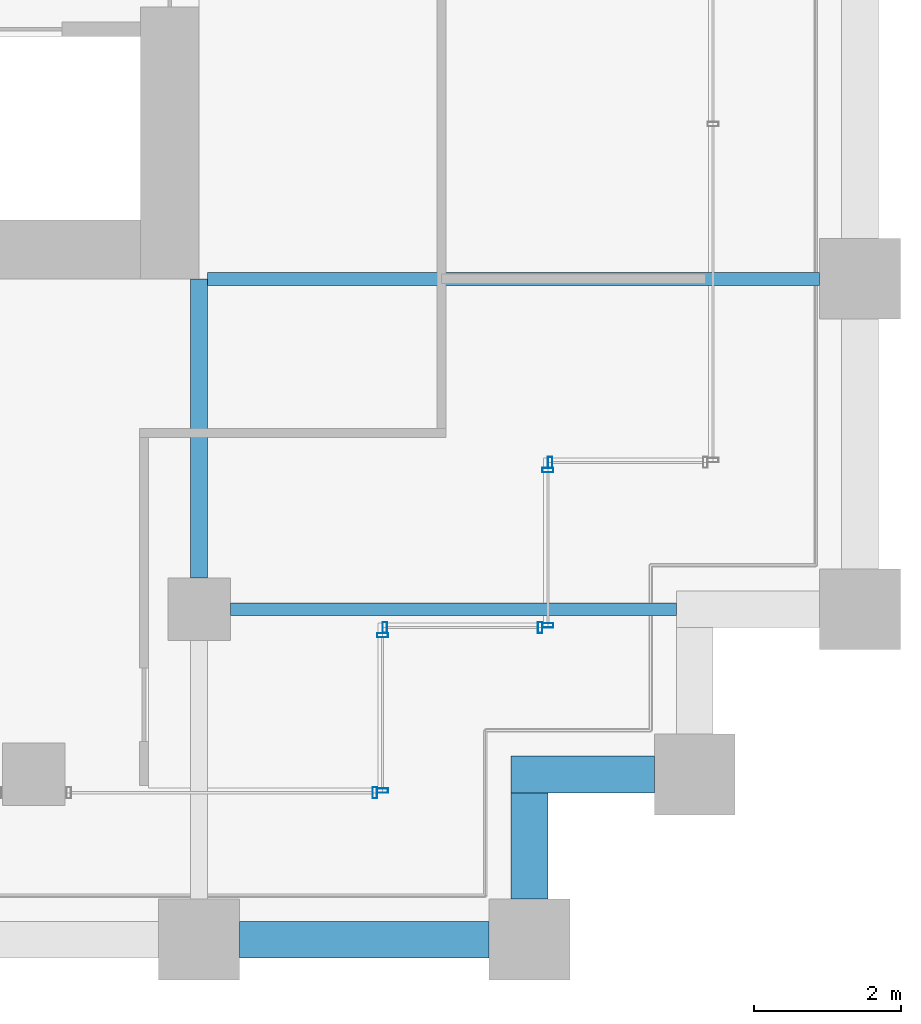
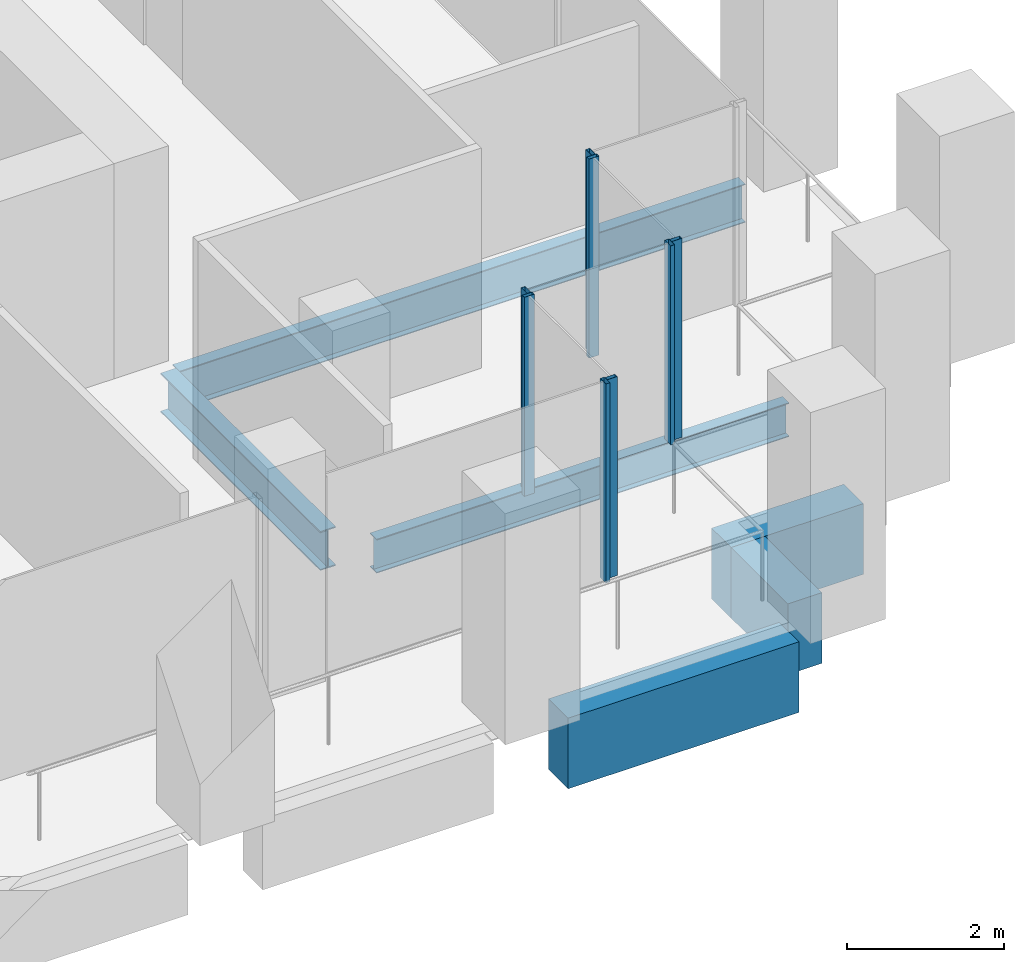
# One storey, part 38 of 56: 8 members, 6 beams, 5 elements without a shape of their own.
"""IFC4 building model written with IfcOpenShell, lengths in metres."""

from ifc_helpers import new_model, si_unit, direction, frame, origin, origin_2d, place, context, subcontext, project, spatial, rectangle, hollow_rectangle, i_section, extrude, material, material_profile, profile_set, type_object, element, aggregate, save


model = new_model("IFC4")

# Units and contexts
model_context = context("Model", 3, precision=1e-05, world=origin(), true_north=direction((0.0, 1.0)))
body_context = subcontext(model_context, "Body", "Model", "MODEL_VIEW")
ifc_project = project(units=[si_unit("LENGTHUNIT", "METRE"), si_unit("AREAUNIT", "SQUARE_METRE"), si_unit("VOLUMEUNIT", "CUBIC_METRE"), si_unit("PLANEANGLEUNIT", "RADIAN"), si_unit("MASSUNIT", "GRAM", prefix="KILO")], contexts=[model_context])

# Site, building, storey
site_placement = place(None, origin())
site = spatial("IfcSite", under=ifc_project, at=site_placement, CompositionType="ELEMENT")
building_placement = place(site_placement, origin())
building = spatial("IfcBuilding", under=site, at=building_placement, Name="Altepetl Exchange Towers", CompositionType="ELEMENT")
storey_placement = place(building_placement, frame((0.0, 0.0, 54.60009765625)))
storey = spatial("IfcBuildingStorey", under=building, at=storey_placement, Name="L12", CompositionType="ELEMENT", Elevation=54.60009765625)

# Beams
ifc_material_1 = material(Name="Steel S355", Category="steel")
ifc_material_profile_1 = material_profile(ifc_material_1, i_section(OverallWidth=0.166015625, OverallDepth=0.529052734375, WebThickness=0.009765625, FlangeThickness=0.013671875, at=origin_2d()), Name="W21X50")
ifc_profile_set_1 = profile_set([ifc_material_profile_1], Name="Steel S355")
beam_type_1 = type_object("IfcBeamType", Name="Floor beam W21X50", PredefinedType="BEAM", material=ifc_profile_set_1)
beam_1_placement = place(storey_placement, frame((117.425048828125, 31.5, -0.41455078125), z_axis=(1.0, 0.0, 0.0), x_axis=(0.0, 1.0, 0.0)))
element("IfcBeam", 1, at=beam_1_placement, inside=storey, type_object=beam_type_1, Name="bm:B:L12:004", PredefinedType="BEAM", context=body_context, shape_type="SweptSolid", body=[
    extrude(i_section(OverallWidth=0.166015625, OverallDepth=0.529052734375, WebThickness=0.009765625, FlangeThickness=0.013671875, at=origin_2d()), origin(), (0.0, 0.0, 1.0), 6.074951171875),
])
ifc_material_profile_2 = material_profile(ifc_material_1, i_section(OverallWidth=0.177978515625, OverallDepth=0.59912109375, WebThickness=0.010009765625, FlangeThickness=0.0126953125, at=origin_2d()), Name="W24X55")
ifc_profile_set_2 = profile_set([ifc_material_profile_2], Name="Steel S355")
beam_type_2 = type_object("IfcBeamType", Name="Floor beam W24X55", PredefinedType="BEAM", material=ifc_profile_set_2)
beam_2_placement = place(storey_placement, frame((117.114013671875, 36.0, -0.44970703125), z_axis=(1.0, 0.0, 0.0), x_axis=(0.0, 1.0, 0.0)))
element("IfcBeam", 2, at=beam_2_placement, inside=storey, type_object=beam_type_2, Name="bm:B:L12:005", PredefinedType="BEAM", context=body_context, shape_type="SweptSolid", body=[
    extrude(i_section(OverallWidth=0.177978515625, OverallDepth=0.59912109375, WebThickness=0.010009765625, FlangeThickness=0.0126953125, at=origin_2d()), origin(), (0.0, 0.0, 1.0), 8.3359375),
])
ifc_material_profile_3 = material_profile(ifc_material_1, i_section(OverallWidth=0.22802734375, OverallDepth=0.60791015625, WebThickness=0.01123046875, FlangeThickness=0.017333984375, at=origin_2d()), Name="W24X76")
ifc_profile_set_3 = profile_set([ifc_material_profile_3], Name="Steel S355")
beam_type_3 = type_object("IfcBeamType", Name="Girder W24X76", PredefinedType="BEAM", material=ifc_profile_set_3)
beam_3_placement = place(storey_placement, frame((117.0, 36.0, -0.4541015625), z_axis=(0.0, -1.0, 0.0), x_axis=(1.0, 0.0, 0.0)))
element("IfcBeam", 3, at=beam_3_placement, inside=storey, type_object=beam_type_3, Name="gd:B:L12:004", PredefinedType="BEAM", context=body_context, shape_type="SweptSolid", body=[
    extrude(i_section(OverallWidth=0.22802734375, OverallDepth=0.60791015625, WebThickness=0.01123046875, FlangeThickness=0.017333984375, at=origin_2d()), origin(), (0.0, 0.0, 1.0), 4.074951171875),
])

# Curtain wall, member
ifc_material_2 = material(Name="Aluminium 6063-T6 glazing", Category="aluminium")
curtain_wall_type = type_object("IfcCurtainWallType", Name="Loggia glazing system", PredefinedType="NOTDEFINED", material=ifc_material_2)
curtain_wall_1_placement = place(storey_placement, origin())
curtain_wall_1 = element("IfcCurtainWall", 4, at=curtain_wall_1_placement, inside=storey, type_object=curtain_wall_type, Name="CW1 run", PredefinedType="NOTDEFINED")
ifc_material_3 = material(Name="Aluminium 6063-T6", Category="aluminium")
ifc_material_profile_4 = material_profile(ifc_material_3, hollow_rectangle(XDim=0.06005859375, YDim=0.14990234375, WallThickness=0.0029296875, at=origin_2d()), Name="Mullion 60x150 aluminium")
ifc_profile_set_4 = profile_set([ifc_material_profile_4], Name="Aluminium 6063-T6")
member_type = type_object("IfcMemberType", Name="Mullion 60x150 aluminium", PredefinedType="MULLION", material=ifc_profile_set_4)
member_1_placement = place(storey_placement, frame((119.39501953125, 29.0, 0.0)))
member_1 = element("IfcMember", 5, at=member_1_placement, type_object=member_type, Name="MU1 mullion", PredefinedType="MULLION", context=body_context, shape_type="SweptSolid", body=[
    extrude(hollow_rectangle(XDim=0.06005859375, YDim=0.14990234375, WallThickness=0.0029296875, at=origin_2d()), origin(), (0.0, 0.0, 1.0), 3.099853515625),
])
aggregate(curtain_wall_1, [member_1])

# Curtain wall, members
curtain_wall_2_placement = place(storey_placement, origin())
curtain_wall_2 = element("IfcCurtainWall", 6, at=curtain_wall_2_placement, inside=storey, type_object=curtain_wall_type, Name="CW1 run", PredefinedType="NOTDEFINED")
member_2_placement = place(storey_placement, frame((119.5, 29.030029296875, 0.0), z_axis=(0.0, 0.0, 1.0), x_axis=(0.0, 1.0, 0.0)))
member_2 = element("IfcMember", 7, at=member_2_placement, type_object=member_type, Name="MU1 mullion", PredefinedType="MULLION", context=body_context, shape_type="SweptSolid", body=[
    extrude(hollow_rectangle(XDim=0.06005859375, YDim=0.14990234375, WallThickness=0.0029296875, at=origin_2d()), origin(), (0.0, 0.0, 1.0), 3.099853515625),
])
member_3_placement = place(storey_placement, frame((119.5, 31.14501953125, 0.0), z_axis=(0.0, 0.0, 1.0), x_axis=(0.0, 1.0, 0.0)))
member_3 = element("IfcMember", 8, at=member_3_placement, type_object=member_type, Name="MU1 mullion", PredefinedType="MULLION", context=body_context, shape_type="SweptSolid", body=[
    extrude(hollow_rectangle(XDim=0.06005859375, YDim=0.14990234375, WallThickness=0.0029296875, at=origin_2d()), origin(), (0.0, 0.0, 1.0), 3.099853515625),
])
aggregate(curtain_wall_2, [member_2, member_3])

curtain_wall_3_placement = place(storey_placement, origin())
curtain_wall_3 = element("IfcCurtainWall", 9, at=curtain_wall_3_placement, inside=storey, type_object=curtain_wall_type, Name="CW1 run", PredefinedType="NOTDEFINED")
member_4_placement = place(storey_placement, frame((119.530029296875, 31.25, 0.0)))
member_4 = element("IfcMember", 10, at=member_4_placement, type_object=member_type, Name="MU1 mullion", PredefinedType="MULLION", context=body_context, shape_type="SweptSolid", body=[
    extrude(hollow_rectangle(XDim=0.06005859375, YDim=0.14990234375, WallThickness=0.0029296875, at=origin_2d()), origin(), (0.0, 0.0, 1.0), 3.099853515625),
])
member_5_placement = place(storey_placement, frame((121.64501953125, 31.25, 0.0)))
member_5 = element("IfcMember", 11, at=member_5_placement, type_object=member_type, Name="MU1 mullion", PredefinedType="MULLION", context=body_context, shape_type="SweptSolid", body=[
    extrude(hollow_rectangle(XDim=0.06005859375, YDim=0.14990234375, WallThickness=0.0029296875, at=origin_2d()), origin(), (0.0, 0.0, 1.0), 3.099853515625),
])
aggregate(curtain_wall_3, [member_4, member_5])

curtain_wall_4_placement = place(storey_placement, origin())
curtain_wall_4 = element("IfcCurtainWall", 12, at=curtain_wall_4_placement, inside=storey, type_object=curtain_wall_type, Name="CW1 run", PredefinedType="NOTDEFINED")
member_6_placement = place(storey_placement, frame((121.75, 31.280029296875, 0.0), z_axis=(0.0, 0.0, 1.0), x_axis=(0.0, 1.0, 0.0)))
member_6 = element("IfcMember", 13, at=member_6_placement, type_object=member_type, Name="MU1 mullion", PredefinedType="MULLION", context=body_context, shape_type="SweptSolid", body=[
    extrude(hollow_rectangle(XDim=0.06005859375, YDim=0.14990234375, WallThickness=0.0029296875, at=origin_2d()), origin(), (0.0, 0.0, 1.0), 3.099853515625),
])
member_7_placement = place(storey_placement, frame((121.75, 33.39501953125, 0.0), z_axis=(0.0, 0.0, 1.0), x_axis=(0.0, 1.0, 0.0)))
member_7 = element("IfcMember", 14, at=member_7_placement, type_object=member_type, Name="MU1 mullion", PredefinedType="MULLION", context=body_context, shape_type="SweptSolid", body=[
    extrude(hollow_rectangle(XDim=0.06005859375, YDim=0.14990234375, WallThickness=0.0029296875, at=origin_2d()), origin(), (0.0, 0.0, 1.0), 3.099853515625),
])
aggregate(curtain_wall_4, [member_6, member_7])

# Curtain wall, member
curtain_wall_5_placement = place(storey_placement, origin())
curtain_wall_5 = element("IfcCurtainWall", 15, at=curtain_wall_5_placement, inside=storey, type_object=curtain_wall_type, Name="CW1 run", PredefinedType="NOTDEFINED")
member_8_placement = place(storey_placement, frame((121.780029296875, 33.5, 0.0)))
member_8 = element("IfcMember", 16, at=member_8_placement, type_object=member_type, Name="MU1 mullion", PredefinedType="MULLION", context=body_context, shape_type="SweptSolid", body=[
    extrude(hollow_rectangle(XDim=0.06005859375, YDim=0.14990234375, WallThickness=0.0029296875, at=origin_2d()), origin(), (0.0, 0.0, 1.0), 3.099853515625),
])
aggregate(curtain_wall_5, [member_8])

# Beams
ifc_material_4 = material(Name="Concrete C50/60 precast with cantera blanca facing", Category="concrete")
ifc_material_profile_5 = material_profile(ifc_material_4, rectangle(XDim=0.5, YDim=1.10009765625, at=origin_2d()), Name="500 x 1100")
ifc_profile_set_5 = profile_set([ifc_material_profile_5], Name="Concrete C50/60 precast with cantera blanca facing")
beam_type_4 = type_object("IfcBeamType", Name="Spandrel beam 500x1100 cantera blanca", PredefinedType="SPANDREL", material=ifc_profile_set_5)
beam_4_placement = place(storey_placement, frame((117.550048828125, 27.0, -0.7001953125), z_axis=(1.0, 0.0, 0.0), x_axis=(0.0, 1.0, 0.0)))
element("IfcBeam", 17, at=beam_4_placement, inside=storey, type_object=beam_type_4, Name="sp:B:L12:004", PredefinedType="SPANDREL", context=body_context, shape_type="SweptSolid", body=[
    extrude(rectangle(XDim=0.5, YDim=1.10009765625, at=origin_2d()), origin(), (0.0, 0.0, 1.0), 3.39990234375),
])
beam_5_placement = place(storey_placement, frame((121.5, 27.550048828125, -0.7001953125), z_axis=(0.0, 1.0, 0.0), x_axis=(-1.0, 0.0, 0.0)))
element("IfcBeam", 18, at=beam_5_placement, inside=storey, type_object=beam_type_4, Name="sp:B:L12:005", PredefinedType="SPANDREL", context=body_context, shape_type="SweptSolid", body=[
    extrude(rectangle(XDim=0.5, YDim=1.10009765625, at=origin_2d()), origin(), (0.0, 0.0, 1.0), 1.449951171875),
])
beam_6_placement = place(storey_placement, frame((121.25, 29.25, -0.7001953125), z_axis=(1.0, 0.0, 0.0), x_axis=(0.0, 1.0, 0.0)))
element("IfcBeam", 19, at=beam_6_placement, inside=storey, type_object=beam_type_4, Name="sp:B:L12:006", PredefinedType="SPANDREL", context=body_context, shape_type="SweptSolid", body=[
    extrude(rectangle(XDim=0.5, YDim=1.10009765625, at=origin_2d()), origin(), (0.0, 0.0, 1.0), 1.949951171875),
])

save(model, "model.ifc")
